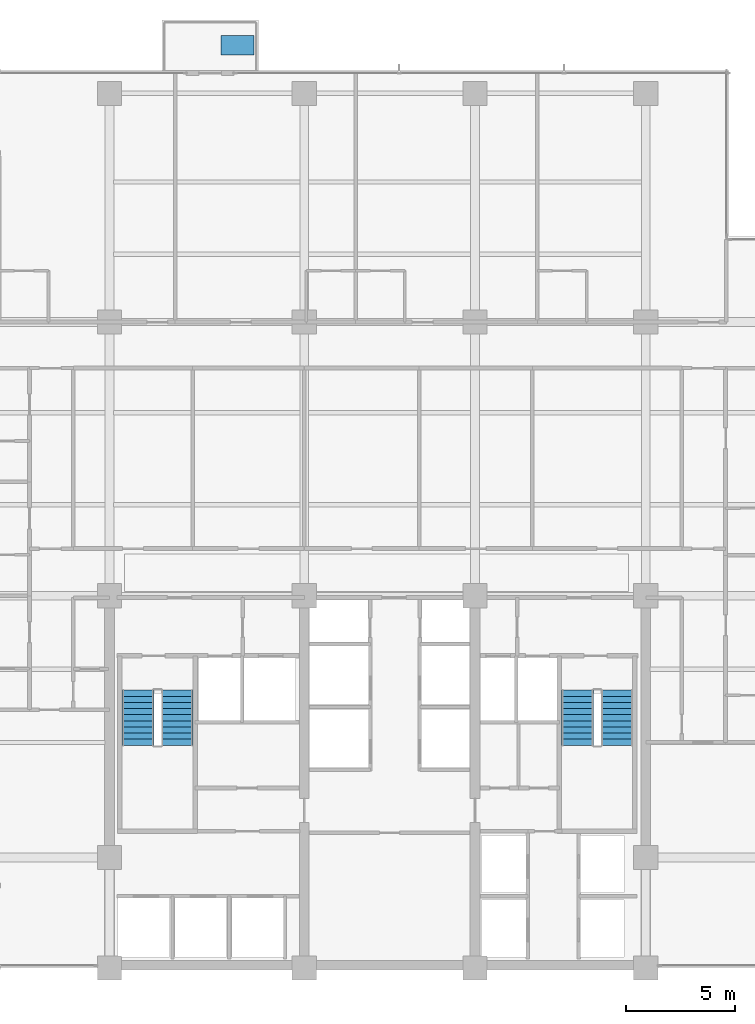
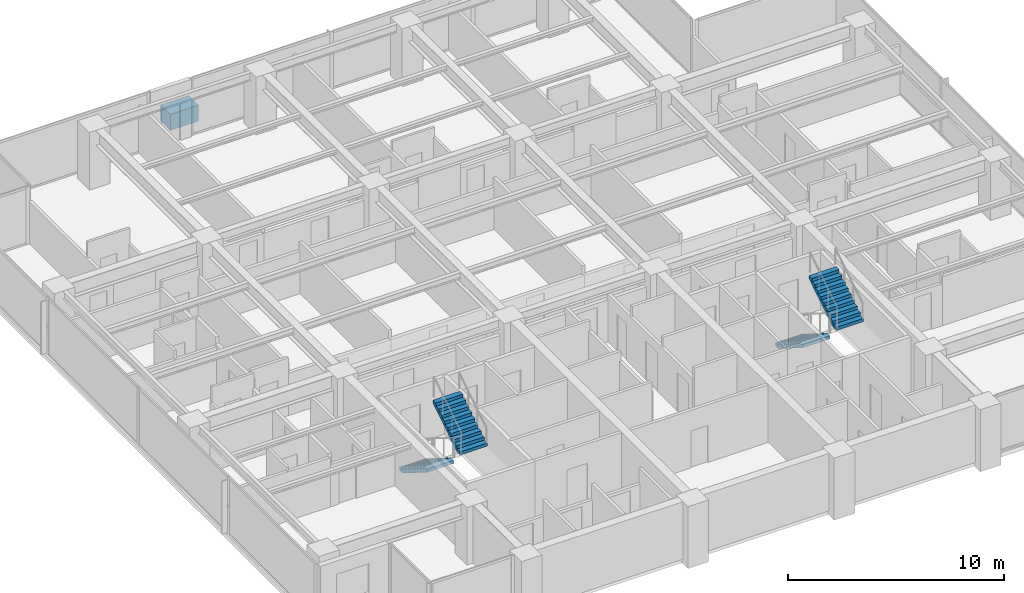
# One storey, part 11 of 15: 4 stair flights, 1 discrete accessory, 2 elements without a shape of their own.
"""IFC4 building model written with IfcOpenShell, lengths in metres."""

from ifc_helpers import new_model, si_unit, direction, frame, origin, place, context, subcontext, project, spatial, polyline, outline, extrude, material, layer, layer_set, type_object, element, aggregate, save


model = new_model("IFC4")

# Units and contexts
model_context = context("Model", 3, precision=1e-05, world=origin(), true_north=direction((0.0, 1.0)))
body_context = subcontext(model_context, "Body", "Model", "MODEL_VIEW")
ifc_project = project(units=[si_unit("LENGTHUNIT", "METRE"), si_unit("AREAUNIT", "SQUARE_METRE"), si_unit("VOLUMEUNIT", "CUBIC_METRE"), si_unit("PLANEANGLEUNIT", "RADIAN"), si_unit("MASSUNIT", "GRAM", prefix="KILO")], contexts=[model_context])

# Site, building, storey
site_placement = place(None, origin())
site = spatial("IfcSite", under=ifc_project, at=site_placement, CompositionType="ELEMENT")
building_placement = place(site_placement, origin())
building = spatial("IfcBuilding", under=site, at=building_placement, Name="Qalmaran Belvedere Hotel", CompositionType="ELEMENT")
storey_placement = place(building_placement, frame((0.0, 0.0, 142.10009765625)))
storey = spatial("IfcBuildingStorey", under=building, at=storey_placement, Name="L35", CompositionType="ELEMENT", Elevation=142.10009765625)

# Stair, stair flights
ifc_material = material(Name="Concrete C40/50", Category="concrete")
stair_type_1 = type_object("IfcStairType", Name="STR-ST-1-1450-R1750", PredefinedType="HALF_TURN_STAIR", material=ifc_material)
stair_1_placement = place(storey_placement, origin())
stair_1 = element("IfcStair", 1, at=stair_1_placement, inside=storey, type_object=stair_type_1, Name="L35 West Core Exit Stair ST-1", PredefinedType="HALF_TURN_STAIR")
ifc_layer_1 = layer(ifc_material, 0.14990234375, Name="Concrete C40/50")
ifc_layer_set_1 = layer_set([ifc_layer_1], Name="Concrete C40/50")
stair_flight_type_1 = type_object("IfcStairFlightType", Name="STF-ST-1-1450-R1750", PredefinedType="STRAIGHT", material=ifc_layer_set_1)
stair_flight_1_placement = place(storey_placement, frame((21.60498046875, 16.18994140625, 0.0), z_axis=(0.0, 0.0, 1.0), x_axis=(0.0, -1.0, 0.0)))
stair_flight_1 = element("IfcStairFlight", 2, at=stair_flight_1_placement, type_object=stair_flight_type_1, Name="ST-1 flight 1", NumberOfRisers=10, NumberOfTreads=9, PredefinedType="STRAIGHT", RiserHeight=0.175, TreadLength=0.28, context=body_context, shape_type="SweptSolid", body=[
    extrude(outline(polyline([(0.0, 0.0), (0.0, 0.175048828125), (0.280029296875, 0.175048828125), (0.280029296875, 0.35009765625), (0.56005859375, 0.35009765625), (0.56005859375, 0.52490234375), (0.840087890625, 0.52490234375), (0.840087890625, 0.699951171875), (1.1201171875, 0.699951171875), (1.1201171875, 0.875), (1.39990234375, 0.875), (1.39990234375, 1.050048828125), (1.679931640625, 1.050048828125), (1.679931640625, 1.22509765625), (1.9599609375, 1.22509765625), (1.9599609375, 1.39990234375), (2.239990234375, 1.39990234375), (2.239990234375, 1.574951171875), (2.52001953125, 1.574951171875), (2.52001953125, 1.75), (2.52001953125, 1.398193359375), (0.28271484375, 0.0), (0.0, 0.0)])), frame((0.0, 0.72509765625, 0.0), z_axis=(0.0, -1.0, 0.0), x_axis=(1.0, 0.0, 0.0)), (0.0, 0.0, 1.0), 1.449951171875),
])
stair_flight_2_placement = place(storey_placement, frame((23.39501953125, 13.669921875, 1.75), z_axis=(0.0, 0.0, 1.0), x_axis=(0.0, 1.0, 0.0)))
stair_flight_2 = element("IfcStairFlight", 3, at=stair_flight_2_placement, type_object=stair_flight_type_1, Name="ST-1 flight 2", NumberOfRisers=10, NumberOfTreads=9, PredefinedType="STRAIGHT", RiserHeight=0.175, TreadLength=0.28, context=body_context, shape_type="SweptSolid", body=[
    extrude(outline(polyline([(0.0, 0.0), (0.0, 0.175048828125), (0.280029296875, 0.175048828125), (0.280029296875, 0.35009765625), (0.56005859375, 0.35009765625), (0.56005859375, 0.52490234375), (0.840087890625, 0.52490234375), (0.840087890625, 0.699951171875), (1.1201171875, 0.699951171875), (1.1201171875, 0.875), (1.39990234375, 0.875), (1.39990234375, 1.050048828125), (1.679931640625, 1.050048828125), (1.679931640625, 1.22509765625), (1.9599609375, 1.22509765625), (1.9599609375, 1.39990234375), (2.239990234375, 1.39990234375), (2.239990234375, 1.574951171875), (2.52001953125, 1.574951171875), (2.52001953125, 1.75), (2.52001953125, 1.398193359375), (0.28271484375, 0.0), (0.0, 0.0)])), frame((0.0, 0.72509765625, 0.0), z_axis=(0.0, -1.0, 0.0), x_axis=(1.0, 0.0, 0.0)), (0.0, 0.0, 1.0), 1.449951171875),
])
aggregate(stair_1, [stair_flight_1, stair_flight_2])

stair_type_2 = type_object("IfcStairType", Name="STR-ST-2-1450-R1750", PredefinedType="HALF_TURN_STAIR", material=ifc_material)
stair_2_placement = place(storey_placement, origin())
stair_2 = element("IfcStair", 4, at=stair_2_placement, inside=storey, type_object=stair_type_2, Name="L35 East Core Exit Stair ST-2", PredefinedType="HALF_TURN_STAIR")
ifc_layer_2 = layer(ifc_material, 0.14990234375, Name="Concrete C40/50")
ifc_layer_set_2 = layer_set([ifc_layer_2], Name="Concrete C40/50")
stair_flight_type_2 = type_object("IfcStairFlightType", Name="STF-ST-2-1450-R1750", PredefinedType="STRAIGHT", material=ifc_layer_set_2)
stair_flight_3_placement = place(storey_placement, frame((41.68505859375, 16.18994140625, 0.0), z_axis=(0.0, 0.0, 1.0), x_axis=(0.0, -1.0, 0.0)))
stair_flight_3 = element("IfcStairFlight", 5, at=stair_flight_3_placement, type_object=stair_flight_type_2, Name="ST-2 flight 1", NumberOfRisers=10, NumberOfTreads=9, PredefinedType="STRAIGHT", RiserHeight=0.175, TreadLength=0.28, context=body_context, shape_type="SweptSolid", body=[
    extrude(outline(polyline([(0.0, 0.0), (0.0, 0.175048828125), (0.280029296875, 0.175048828125), (0.280029296875, 0.35009765625), (0.56005859375, 0.35009765625), (0.56005859375, 0.52490234375), (0.840087890625, 0.52490234375), (0.840087890625, 0.699951171875), (1.1201171875, 0.699951171875), (1.1201171875, 0.875), (1.39990234375, 0.875), (1.39990234375, 1.050048828125), (1.679931640625, 1.050048828125), (1.679931640625, 1.22509765625), (1.9599609375, 1.22509765625), (1.9599609375, 1.39990234375), (2.239990234375, 1.39990234375), (2.239990234375, 1.574951171875), (2.52001953125, 1.574951171875), (2.52001953125, 1.75), (2.52001953125, 1.398193359375), (0.28271484375, 0.0), (0.0, 0.0)])), frame((0.0, 0.72509765625, 0.0), z_axis=(0.0, -1.0, 0.0), x_axis=(1.0, 0.0, 0.0)), (0.0, 0.0, 1.0), 1.449951171875),
])
stair_flight_4_placement = place(storey_placement, frame((43.47509765625, 13.669921875, 1.75), z_axis=(0.0, 0.0, 1.0), x_axis=(0.0, 1.0, 0.0)))
stair_flight_4 = element("IfcStairFlight", 6, at=stair_flight_4_placement, type_object=stair_flight_type_2, Name="ST-2 flight 2", NumberOfRisers=10, NumberOfTreads=9, PredefinedType="STRAIGHT", RiserHeight=0.175, TreadLength=0.28, context=body_context, shape_type="SweptSolid", body=[
    extrude(outline(polyline([(0.0, 0.0), (0.0, 0.175048828125), (0.280029296875, 0.175048828125), (0.280029296875, 0.35009765625), (0.56005859375, 0.35009765625), (0.56005859375, 0.52490234375), (0.840087890625, 0.52490234375), (0.840087890625, 0.699951171875), (1.1201171875, 0.699951171875), (1.1201171875, 0.875), (1.39990234375, 0.875), (1.39990234375, 1.050048828125), (1.679931640625, 1.050048828125), (1.679931640625, 1.22509765625), (1.9599609375, 1.22509765625), (1.9599609375, 1.39990234375), (2.239990234375, 1.39990234375), (2.239990234375, 1.574951171875), (2.52001953125, 1.574951171875), (2.52001953125, 1.75), (2.52001953125, 1.398193359375), (0.28271484375, 0.0), (0.0, 0.0)])), frame((0.0, 0.72509765625, 0.0), z_axis=(0.0, -1.0, 0.0), x_axis=(1.0, 0.0, 0.0)), (0.0, 0.0, 1.0), 1.449951171875),
])
aggregate(stair_2, [stair_flight_3, stair_flight_4])

# Discrete accessory
discrete_accessory_type = type_object("IfcDiscreteAccessoryType", Name="PLN-BAL-1500", PredefinedType="USERDEFINED", material=ifc_material)
discrete_accessory_placement = place(storey_placement, origin())
element("IfcDiscreteAccessory", 7, at=discrete_accessory_placement, inside=storey, type_object=discrete_accessory_type, Name="L35 Sky Tree Planter", ObjectType="PLANTER", PredefinedType="USERDEFINED", context=body_context, shape_type="SweptSolid", body=[
    extrude(outline(polyline([(25.39990234375, 45.199951171875), (26.89990234375, 45.199951171875), (26.89990234375, 46.10009765625), (25.39990234375, 46.10009765625), (25.39990234375, 45.199951171875)])), origin(), (0.0, 0.0, 1.0), 0.89990234375),
])

save(model, "model.ifc")
